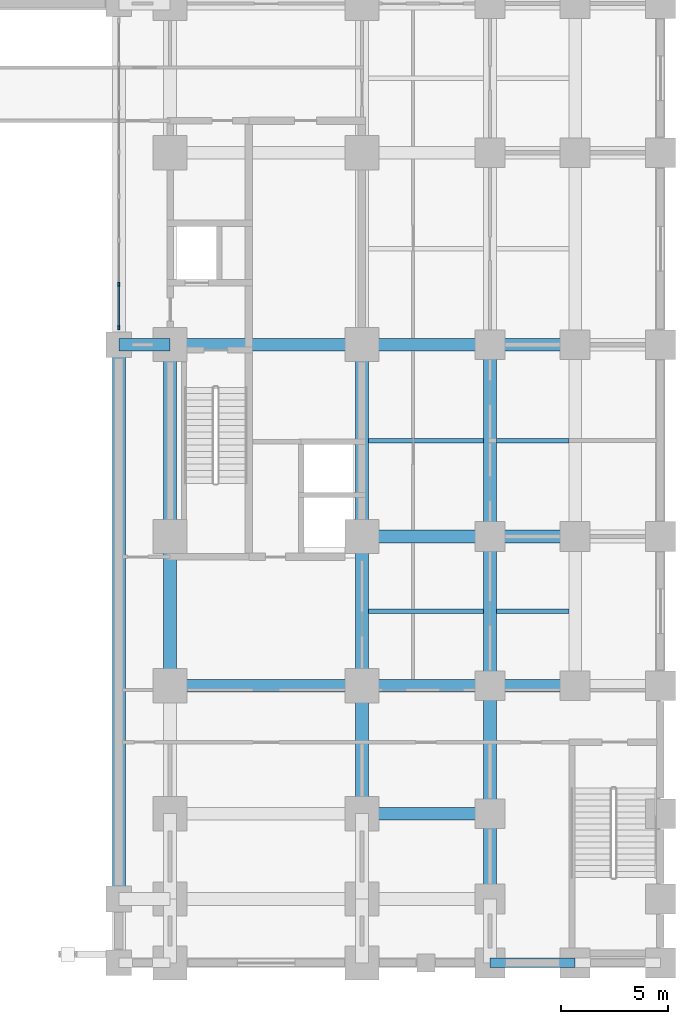
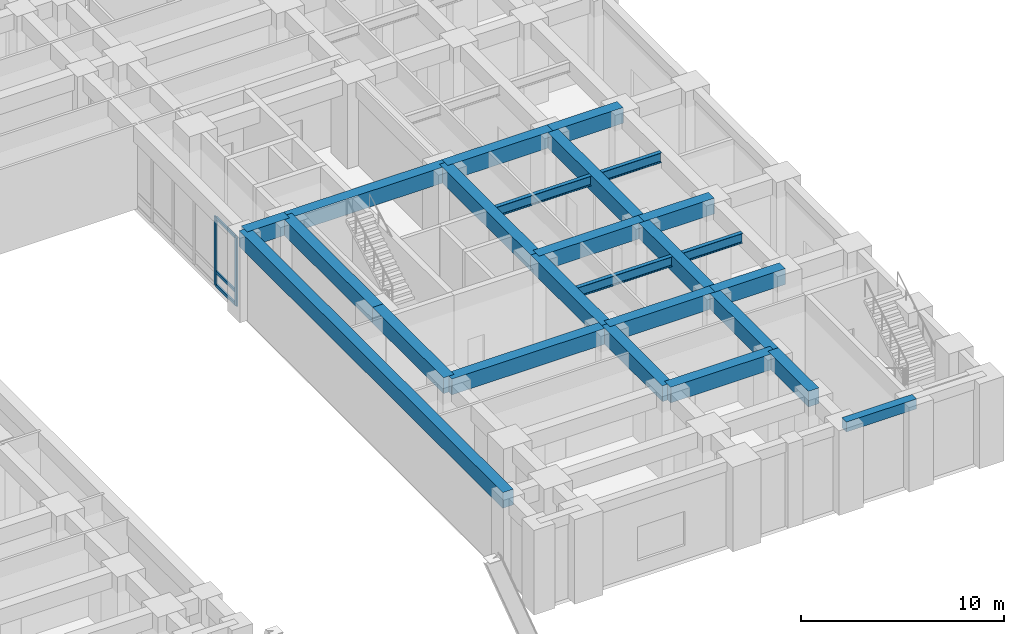
# One storey, part 3 of 23: 25 beams, 5 members, 1 element without a shape of its own.
"""IFC4 building model written with IfcOpenShell, lengths in metres."""

from ifc_helpers import new_model, si_unit, direction, frame, origin, origin_2d, place, context, subcontext, project, spatial, rectangle, i_section, extrude, material, material_profile, profile_set, type_object, element, aggregate, save


model = new_model("IFC4")

# Units and contexts
model_context = context("Model", 3, precision=1e-05, world=origin(), true_north=direction((0.0, 1.0)))
body_context = subcontext(model_context, "Body", "Model", "MODEL_VIEW")
ifc_project = project(units=[si_unit("LENGTHUNIT", "METRE"), si_unit("AREAUNIT", "SQUARE_METRE"), si_unit("VOLUMEUNIT", "CUBIC_METRE"), si_unit("PLANEANGLEUNIT", "RADIAN"), si_unit("MASSUNIT", "GRAM", prefix="KILO")], contexts=[model_context])

# Site, building, storey
site_placement = place(None, origin())
site = spatial("IfcSite", under=ifc_project, at=site_placement, CompositionType="ELEMENT")
building_placement = place(site_placement, origin())
building = spatial("IfcBuilding", under=site, at=building_placement, Name="Zulmaris Gate Convention Tower", CompositionType="ELEMENT")
storey_placement = place(building_placement, frame((0.0, 0.0, 10.8798828125)))
storey = spatial("IfcBuildingStorey", under=building, at=storey_placement, Name="L02", CompositionType="ELEMENT", Elevation=10.8798828125)

# Beams
ifc_material_1 = material(Name="Concrete C60/75", Category="concrete")
ifc_material_profile_1 = material_profile(ifc_material_1, rectangle(XDim=0.60009765625, YDim=0.949951171875, at=origin_2d()), Name="RC BEAM 600x950")
ifc_profile_set_1 = profile_set([ifc_material_profile_1], Name="Concrete C60/75")
beam_type_1 = type_object("IfcBeamType", Name="BM-RC600x950", PredefinedType="BEAM", material=ifc_profile_set_1)
beam_1_placement = place(storey_placement, frame((20.0, -22.0, 4.615234375), z_axis=(1.0, 0.0, 0.0), x_axis=(0.0, 1.0, 0.0)))
element("IfcBeam", 1, at=beam_1_placement, inside=storey, type_object=beam_type_1, Name="L02 Beam BM-L02-X--22.0-+20.0", PredefinedType="BEAM", context=body_context, shape_type="SweptSolid", body=[
    extrude(rectangle(XDim=0.60009765625, YDim=0.949951171875, at=origin_2d()), origin(), (0.0, 0.0, 1.0), 6.0),
])
beam_2_placement = place(storey_placement, frame((11.0, -16.0, 4.615234375), z_axis=(1.0, 0.0, 0.0), x_axis=(0.0, 1.0, 0.0)))
element("IfcBeam", 2, at=beam_2_placement, inside=storey, type_object=beam_type_1, Name="L02 Beam BM-L02-X--16.0-+11.0", PredefinedType="BEAM", context=body_context, shape_type="SweptSolid", body=[
    extrude(rectangle(XDim=0.60009765625, YDim=0.949951171875, at=origin_2d()), origin(), (0.0, 0.0, 1.0), 9.0),
])
beam_3_placement = place(storey_placement, frame((20.0, -16.0, 4.615234375), z_axis=(1.0, 0.0, 0.0), x_axis=(0.0, 1.0, 0.0)))
element("IfcBeam", 3, at=beam_3_placement, inside=storey, type_object=beam_type_1, Name="L02 Beam BM-L02-X--16.0-+20.0", PredefinedType="BEAM", context=body_context, shape_type="SweptSolid", body=[
    extrude(rectangle(XDim=0.60009765625, YDim=0.949951171875, at=origin_2d()), origin(), (0.0, 0.0, 1.0), 6.0),
])
beam_4_placement = place(storey_placement, frame((26.0, -16.0, 4.615234375), z_axis=(1.0, 0.0, 0.0), x_axis=(0.0, 1.0, 0.0)))
element("IfcBeam", 4, at=beam_4_placement, inside=storey, type_object=beam_type_1, Name="L02 Beam BM-L02-X--16.0-+26.0", PredefinedType="BEAM", context=body_context, shape_type="SweptSolid", body=[
    extrude(rectangle(XDim=0.60009765625, YDim=0.949951171875, at=origin_2d()), origin(), (0.0, 0.0, 1.0), 4.0),
])
beam_5_placement = place(storey_placement, frame((20.0, -9.0, 4.615234375), z_axis=(1.0, 0.0, 0.0), x_axis=(0.0, 1.0, 0.0)))
element("IfcBeam", 5, at=beam_5_placement, inside=storey, type_object=beam_type_1, Name="L02 Beam BM-L02-X--9.0-+20.0", PredefinedType="BEAM", context=body_context, shape_type="SweptSolid", body=[
    extrude(rectangle(XDim=0.60009765625, YDim=0.949951171875, at=origin_2d()), origin(), (0.0, 0.0, 1.0), 6.0),
])
beam_6_placement = place(storey_placement, frame((26.0, -9.0, 4.615234375), z_axis=(1.0, 0.0, 0.0), x_axis=(0.0, 1.0, 0.0)))
element("IfcBeam", 6, at=beam_6_placement, inside=storey, type_object=beam_type_1, Name="L02 Beam BM-L02-X--9.0-+26.0", PredefinedType="BEAM", context=body_context, shape_type="SweptSolid", body=[
    extrude(rectangle(XDim=0.60009765625, YDim=0.949951171875, at=origin_2d()), origin(), (0.0, 0.0, 1.0), 4.0),
])
beam_7_placement = place(storey_placement, frame((8.60009765625, 0.0, 4.615234375), z_axis=(1.0, 0.0, 0.0), x_axis=(0.0, 1.0, 0.0)))
element("IfcBeam", 7, at=beam_7_placement, inside=storey, type_object=beam_type_1, Name="L02 Beam BM-L02-X-+0.0-+8.6", PredefinedType="BEAM", context=body_context, shape_type="SweptSolid", body=[
    extrude(rectangle(XDim=0.60009765625, YDim=0.949951171875, at=origin_2d()), origin(), (0.0, 0.0, 1.0), 2.39990234375),
])
beam_8_placement = place(storey_placement, frame((11.0, 0.0, 4.615234375), z_axis=(1.0, 0.0, 0.0), x_axis=(0.0, 1.0, 0.0)))
element("IfcBeam", 8, at=beam_8_placement, inside=storey, type_object=beam_type_1, Name="L02 Beam BM-L02-X-+0.0-+11.0", PredefinedType="BEAM", context=body_context, shape_type="SweptSolid", body=[
    extrude(rectangle(XDim=0.60009765625, YDim=0.949951171875, at=origin_2d()), origin(), (0.0, 0.0, 1.0), 9.0),
])
beam_9_placement = place(storey_placement, frame((20.0, 0.0, 4.615234375), z_axis=(1.0, 0.0, 0.0), x_axis=(0.0, 1.0, 0.0)))
element("IfcBeam", 9, at=beam_9_placement, inside=storey, type_object=beam_type_1, Name="L02 Beam BM-L02-X-+0.0-+20.0", PredefinedType="BEAM", context=body_context, shape_type="SweptSolid", body=[
    extrude(rectangle(XDim=0.60009765625, YDim=0.949951171875, at=origin_2d()), origin(), (0.0, 0.0, 1.0), 6.0),
])
beam_10_placement = place(storey_placement, frame((26.0, 0.0, 4.615234375), z_axis=(1.0, 0.0, 0.0), x_axis=(0.0, 1.0, 0.0)))
element("IfcBeam", 10, at=beam_10_placement, inside=storey, type_object=beam_type_1, Name="L02 Beam BM-L02-X-+0.0-+26.0", PredefinedType="BEAM", context=body_context, shape_type="SweptSolid", body=[
    extrude(rectangle(XDim=0.60009765625, YDim=0.949951171875, at=origin_2d()), origin(), (0.0, 0.0, 1.0), 4.0),
])
beam_11_placement = place(storey_placement, frame((8.60009765625, -26.0, 4.615234375), z_axis=(0.0, 1.0, 0.0), x_axis=(-1.0, 0.0, 0.0)))
element("IfcBeam", 11, at=beam_11_placement, inside=storey, type_object=beam_type_1, Name="L02 Beam BM-L02-Y-+8.6--26.0", PredefinedType="BEAM", context=body_context, shape_type="SweptSolid", body=[
    extrude(rectangle(XDim=0.60009765625, YDim=0.949951171875, at=origin_2d()), origin(), (0.0, 0.0, 1.0), 26.0),
])
beam_12_placement = place(storey_placement, frame((11.0, -16.0, 4.615234375), z_axis=(0.0, 1.0, 0.0), x_axis=(-1.0, 0.0, 0.0)))
element("IfcBeam", 12, at=beam_12_placement, inside=storey, type_object=beam_type_1, Name="L02 Beam BM-L02-Y-+11.0--16.0", PredefinedType="BEAM", context=body_context, shape_type="SweptSolid", body=[
    extrude(rectangle(XDim=0.60009765625, YDim=0.949951171875, at=origin_2d()), origin(), (0.0, 0.0, 1.0), 7.0),
])
beam_13_placement = place(storey_placement, frame((11.0, -9.0, 4.615234375), z_axis=(0.0, 1.0, 0.0), x_axis=(-1.0, 0.0, 0.0)))
element("IfcBeam", 13, at=beam_13_placement, inside=storey, type_object=beam_type_1, Name="L02 Beam BM-L02-Y-+11.0--9.0", PredefinedType="BEAM", context=body_context, shape_type="SweptSolid", body=[
    extrude(rectangle(XDim=0.60009765625, YDim=0.949951171875, at=origin_2d()), origin(), (0.0, 0.0, 1.0), 9.0),
])
beam_14_placement = place(storey_placement, frame((20.0, -22.0, 4.615234375), z_axis=(0.0, 1.0, 0.0), x_axis=(-1.0, 0.0, 0.0)))
element("IfcBeam", 14, at=beam_14_placement, inside=storey, type_object=beam_type_1, Name="L02 Beam BM-L02-Y-+20.0--22.0", PredefinedType="BEAM", context=body_context, shape_type="SweptSolid", body=[
    extrude(rectangle(XDim=0.60009765625, YDim=0.949951171875, at=origin_2d()), origin(), (0.0, 0.0, 1.0), 6.0),
])
beam_15_placement = place(storey_placement, frame((20.0, -16.0, 4.615234375), z_axis=(0.0, 1.0, 0.0), x_axis=(-1.0, 0.0, 0.0)))
element("IfcBeam", 15, at=beam_15_placement, inside=storey, type_object=beam_type_1, Name="L02 Beam BM-L02-Y-+20.0--16.0", PredefinedType="BEAM", context=body_context, shape_type="SweptSolid", body=[
    extrude(rectangle(XDim=0.60009765625, YDim=0.949951171875, at=origin_2d()), origin(), (0.0, 0.0, 1.0), 7.0),
])
beam_16_placement = place(storey_placement, frame((20.0, -9.0, 4.615234375), z_axis=(0.0, 1.0, 0.0), x_axis=(-1.0, 0.0, 0.0)))
element("IfcBeam", 16, at=beam_16_placement, inside=storey, type_object=beam_type_1, Name="L02 Beam BM-L02-Y-+20.0--9.0", PredefinedType="BEAM", context=body_context, shape_type="SweptSolid", body=[
    extrude(rectangle(XDim=0.60009765625, YDim=0.949951171875, at=origin_2d()), origin(), (0.0, 0.0, 1.0), 9.0),
])
beam_17_placement = place(storey_placement, frame((26.0, -26.0, 4.615234375), z_axis=(0.0, 1.0, 0.0), x_axis=(-1.0, 0.0, 0.0)))
element("IfcBeam", 17, at=beam_17_placement, inside=storey, type_object=beam_type_1, Name="L02 Beam BM-L02-Y-+26.0--26.0", PredefinedType="BEAM", context=body_context, shape_type="SweptSolid", body=[
    extrude(rectangle(XDim=0.60009765625, YDim=0.949951171875, at=origin_2d()), origin(), (0.0, 0.0, 1.0), 4.0),
])
beam_18_placement = place(storey_placement, frame((26.0, -22.0, 4.615234375), z_axis=(0.0, 1.0, 0.0), x_axis=(-1.0, 0.0, 0.0)))
element("IfcBeam", 18, at=beam_18_placement, inside=storey, type_object=beam_type_1, Name="L02 Beam BM-L02-Y-+26.0--22.0", PredefinedType="BEAM", context=body_context, shape_type="SweptSolid", body=[
    extrude(rectangle(XDim=0.60009765625, YDim=0.949951171875, at=origin_2d()), origin(), (0.0, 0.0, 1.0), 6.0),
])
beam_19_placement = place(storey_placement, frame((26.0, -16.0, 4.615234375), z_axis=(0.0, 1.0, 0.0), x_axis=(-1.0, 0.0, 0.0)))
element("IfcBeam", 19, at=beam_19_placement, inside=storey, type_object=beam_type_1, Name="L02 Beam BM-L02-Y-+26.0--16.0", PredefinedType="BEAM", context=body_context, shape_type="SweptSolid", body=[
    extrude(rectangle(XDim=0.60009765625, YDim=0.949951171875, at=origin_2d()), origin(), (0.0, 0.0, 1.0), 7.0),
])
beam_20_placement = place(storey_placement, frame((26.0, -9.0, 4.615234375), z_axis=(0.0, 1.0, 0.0), x_axis=(-1.0, 0.0, 0.0)))
element("IfcBeam", 20, at=beam_20_placement, inside=storey, type_object=beam_type_1, Name="L02 Beam BM-L02-Y-+26.0--9.0", PredefinedType="BEAM", context=body_context, shape_type="SweptSolid", body=[
    extrude(rectangle(XDim=0.60009765625, YDim=0.949951171875, at=origin_2d()), origin(), (0.0, 0.0, 1.0), 9.0),
])
ifc_material_2 = material(Name="Precast concrete C50/60", Category="concrete")
ifc_material_profile_2 = material_profile(ifc_material_2, rectangle(XDim=0.449951171875, YDim=0.60009765625, at=origin_2d()), Name="RC SPANDREL 450x600")
ifc_profile_set_2 = profile_set([ifc_material_profile_2], Name="Precast concrete C50/60")
beam_type_2 = type_object("IfcBeamType", Name="BM-SP450x600", PredefinedType="SPANDREL", material=ifc_profile_set_2)
beam_21_placement = place(storey_placement, frame((26.0, -29.0, 4.790283203125), z_axis=(1.0, 0.0, 0.0), x_axis=(0.0, 1.0, 0.0)))
element("IfcBeam", 21, at=beam_21_placement, inside=storey, type_object=beam_type_2, Name="L02 Spandrel BM-L02-X--29.0-+26.0", PredefinedType="SPANDREL", context=body_context, shape_type="SweptSolid", body=[
    extrude(rectangle(XDim=0.449951171875, YDim=0.60009765625, at=origin_2d()), origin(), (0.0, 0.0, 1.0), 4.0),
])

# Curtain wall, members
ifc_material_3 = material(Name="Anodised Aluminium", Category="aluminium")
curtain_wall_type = type_object("IfcCurtainWallType", Name="CW-02", PredefinedType="NOTDEFINED", material=ifc_material_3)
curtain_wall_placement = place(storey_placement, origin())
curtain_wall = element("IfcCurtainWall", 22, at=curtain_wall_placement, inside=storey, type_object=curtain_wall_type, Name="CW-02 CW02-L02-EL_0", PredefinedType="NOTDEFINED")
ifc_material_profile_3 = material_profile(ifc_material_3, rectangle(XDim=0.090087890625, YDim=0.219970703125, at=origin_2d()), Name="ALU MULLION 90x220")
ifc_profile_set_3 = profile_set([ifc_material_profile_3], Name="Anodised Aluminium")
member_type_1 = type_object("IfcMemberType", Name="CW-02-MULL", PredefinedType="MULLION", material=ifc_profile_set_3)
member_1_placement = place(storey_placement, frame((8.60009765625, 2.82861328125, 0.0), z_axis=(0.0, 0.0, 1.0), x_axis=(1.0, 0.0, 0.0)))
member_1 = element("IfcMember", 23, at=member_1_placement, type_object=member_type_1, Name="CW-02 mullion 7", PredefinedType="MULLION", context=body_context, shape_type="SweptSolid", body=[
    extrude(rectangle(XDim=0.090087890625, YDim=0.219970703125, at=origin_2d()), origin(), (0.0, 0.0, 1.0), 4.13232421875),
])
member_2_placement = place(storey_placement, frame((8.60009765625, 0.804931640625, 0.0), z_axis=(0.0, 0.0, 1.0), x_axis=(1.0, 0.0, 0.0)))
member_2 = element("IfcMember", 24, at=member_2_placement, type_object=member_type_1, Name="CW-02 mullion 8", PredefinedType="MULLION", context=body_context, shape_type="SweptSolid", body=[
    extrude(rectangle(XDim=0.090087890625, YDim=0.219970703125, at=origin_2d()), origin(), (0.0, 0.0, 1.0), 4.13232421875),
])
ifc_material_profile_4 = material_profile(ifc_material_3, rectangle(XDim=0.090087890625, YDim=0.179931640625, at=origin_2d()), Name="ALU TRANSOM 90x180")
ifc_profile_set_4 = profile_set([ifc_material_profile_4], Name="Anodised Aluminium")
member_type_2 = type_object("IfcMemberType", Name="CW-02-TRAN", PredefinedType="USERDEFINED", material=ifc_profile_set_4)
member_3_placement = place(storey_placement, frame((8.60009765625, 2.78369140625, 0.044921875), z_axis=(0.0, -1.0, 0.0), x_axis=(1.0, 0.0, 0.0)))
member_3 = element("IfcMember", 25, at=member_3_placement, type_object=member_type_2, Name="CW-02 transom 7.1", ObjectType="TRANSOM", PredefinedType="USERDEFINED", context=body_context, shape_type="SweptSolid", body=[
    extrude(rectangle(XDim=0.090087890625, YDim=0.179931640625, at=origin_2d()), origin(), (0.0, 0.0, 1.0), 1.93359375),
])
member_4_placement = place(storey_placement, frame((8.60009765625, 2.78369140625, 0.85009765625), z_axis=(0.0, -1.0, 0.0), x_axis=(1.0, 0.0, 0.0)))
member_4 = element("IfcMember", 26, at=member_4_placement, type_object=member_type_2, Name="CW-02 transom 7.2", ObjectType="TRANSOM", PredefinedType="USERDEFINED", context=body_context, shape_type="SweptSolid", body=[
    extrude(rectangle(XDim=0.090087890625, YDim=0.179931640625, at=origin_2d()), origin(), (0.0, 0.0, 1.0), 1.93359375),
])
member_5_placement = place(storey_placement, frame((8.60009765625, 2.78369140625, 4.087158203125), z_axis=(0.0, -1.0, 0.0), x_axis=(1.0, 0.0, 0.0)))
member_5 = element("IfcMember", 27, at=member_5_placement, type_object=member_type_2, Name="CW-02 transom 7.3", ObjectType="TRANSOM", PredefinedType="USERDEFINED", context=body_context, shape_type="SweptSolid", body=[
    extrude(rectangle(XDim=0.090087890625, YDim=0.179931640625, at=origin_2d()), origin(), (0.0, 0.0, 1.0), 1.93359375),
])
aggregate(curtain_wall, [member_1, member_2, member_3, member_4, member_5])

# Beams
ifc_material_4 = material(Name="Steel S355", Category="steel")
ifc_material_profile_5 = material_profile(ifc_material_4, i_section(OverallWidth=0.219970703125, OverallDepth=0.60009765625, WebThickness=0.011962890625, FlangeThickness=0.01904296875, FilletRadius=0.02392578125, at=origin_2d()), Name="IPE 600")
ifc_profile_set_5 = profile_set([ifc_material_profile_5], Name="Steel S355")
beam_type_3 = type_object("IfcBeamType", Name="JT-IPE600", PredefinedType="JOIST", material=ifc_profile_set_5)
for number, where, z_axis, x_axis, name in (
    (28, (20.300048828125, -12.5, 4.788330078125), (1.0, 0.0, 0.0), (0.0, 1.0, 0.0), "L02 Joist JT-L02-+20_+26--12.5"),
    (29, (20.300048828125, -4.5, 4.788330078125), (1.0, 0.0, 0.0), (0.0, 1.0, 0.0), "L02 Joist JT-L02-+20_+26--4.5"),
):
    element("IfcBeam", number, at=place(storey_placement, frame(where, z_axis=z_axis, x_axis=x_axis)), inside=storey, type_object=beam_type_3, Name=name, PredefinedType="JOIST", context=body_context, shape_type="SweptSolid", body=[
        extrude(i_section(OverallWidth=0.219970703125, OverallDepth=0.60009765625, WebThickness=0.011962890625, FlangeThickness=0.01904296875, FilletRadius=0.02392578125, at=origin_2d()), origin(), (0.0, 0.0, 1.0), 5.39990234375),
    ])
for number, where, z_axis, x_axis, name in (
    (30, (26.300048828125, -12.5, 4.788330078125), (1.0, 0.0, 0.0), (0.0, 1.0, 0.0), "L02 Joist JT-L02-+26_+30--12.5"),
    (31, (26.300048828125, -4.5, 4.788330078125), (1.0, 0.0, 0.0), (0.0, 1.0, 0.0), "L02 Joist JT-L02-+26_+30--4.5"),
):
    element("IfcBeam", number, at=place(storey_placement, frame(where, z_axis=z_axis, x_axis=x_axis)), inside=storey, type_object=beam_type_3, Name=name, PredefinedType="JOIST", context=body_context, shape_type="SweptSolid", body=[
        extrude(i_section(OverallWidth=0.219970703125, OverallDepth=0.60009765625, WebThickness=0.011962890625, FlangeThickness=0.01904296875, FilletRadius=0.02392578125, at=origin_2d()), origin(), (0.0, 0.0, 1.0), 3.39990234375),
    ])

save(model, "model.ifc")
